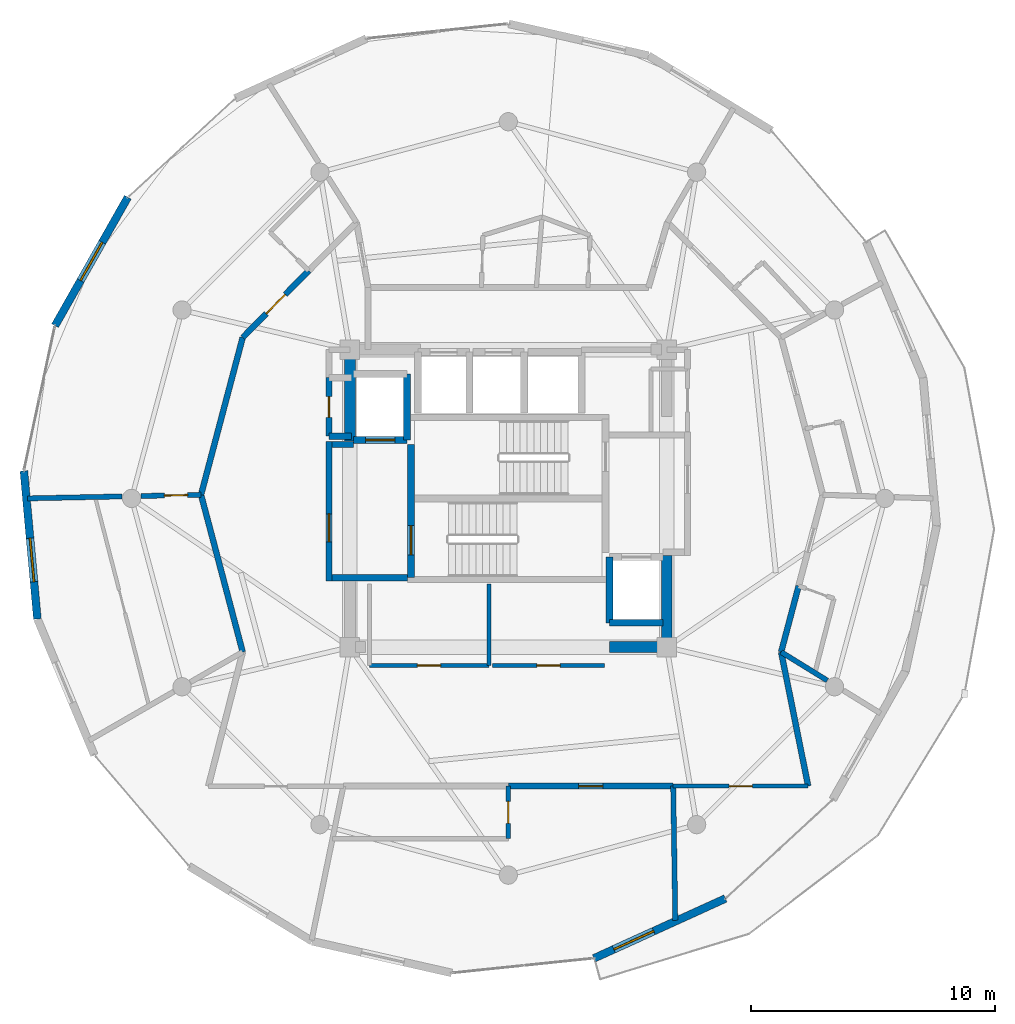
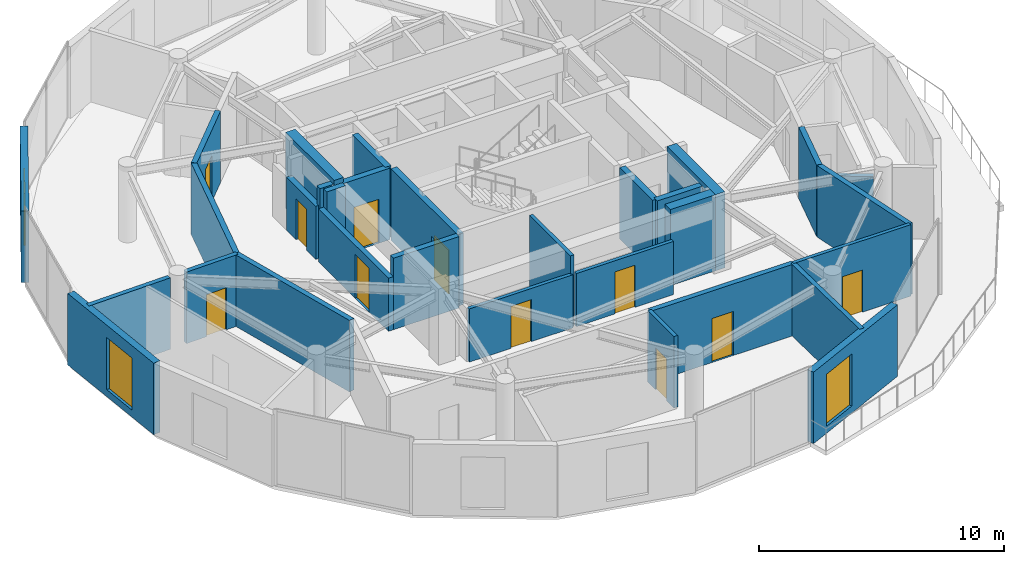
# One storey, part 17 of 22: 31 walls, 11 doors, 3 windows, 14 openings.
"""IFC4 building model written with IfcOpenShell, lengths in metres."""

import ifcopenshell
import ifcopenshell.guid

model = None  # the IFC model being written
_history = None  # IfcOwnerHistory: only IFC2X3 demands one
_inside = {}  # id of a spatial element -> (the spatial element, [elements in it])
_under = {}  # id of a project, library or spatial element -> (it, [spatial elements below it])
_declared = {}  # id of a project -> (the project, [libraries it declares])
_typed = {}  # id of a type object -> (the type object, [elements of that type])
_made_of = {}  # id of a material, layer set ... -> (it, [elements and type objects made of it])


def new_model(schema):
    """Start an empty IFC model of exactly this schema.

    Asked for "IFC4X3", IfcOpenShell would pick the latest addendum, in which some entities
    have other attributes; the version numbers below select the first issue.
    IFC2X3 requires an IfcOwnerHistory on every rooted entity: one is made here for all.
    """
    global model, _history
    if schema == "IFC4X3":
        model = ifcopenshell.file(schema_version=(4, 3, 0, 0))
    else:
        model = ifcopenshell.file(schema=schema)
    _inside.clear()
    _under.clear()
    _declared.clear()
    _typed.clear()
    _made_of.clear()
    _history = None
    if model.schema == "IFC2X3":
        org = make("IfcOrganization", Name="unknown")
        user = make(
            "IfcPersonAndOrganization",
            ThePerson=make("IfcPerson", FamilyName="unknown"),
            TheOrganization=org,
        )
        app = make(
            "IfcApplication",
            ApplicationDeveloper=org,
            Version="unknown",
            ApplicationFullName="unknown",
            ApplicationIdentifier="unknown",
        )
        _history = make(
            "IfcOwnerHistory",
            OwningUser=user,
            OwningApplication=app,
            ChangeAction="ADDED",
            CreationDate=0,
        )
    return model


def make(cls, **values):
    """One entity of the class cls with the attributes given. An attribute that is None is left unset."""
    return model.create_entity(
        cls, **{name: value for name, value in values.items() if value is not None}
    )


def rooted(cls, **values):
    """An entity with a GlobalId (a new one), such as an element, a storey or a relation."""
    return make(cls, GlobalId=ifcopenshell.guid.new(), OwnerHistory=_history, **values)


def si_unit(unit_type, name, prefix=None):
    """IfcSIUnit, for example si_unit("LENGTHUNIT", "METRE", prefix="MILLI")."""
    return make("IfcSIUnit", UnitType=unit_type, Prefix=prefix, Name=name)


def assignment(units):
    """IfcUnitAssignment: the units of a project."""
    return None if units is None else make("IfcUnitAssignment", Units=units)


def point(xyz):
    """IfcCartesianPoint."""
    return None if xyz is None else make("IfcCartesianPoint", Coordinates=xyz)


def direction(xyz):
    """IfcDirection."""
    return None if xyz is None else make("IfcDirection", DirectionRatios=xyz)


def frame(location, z_axis=None, x_axis=None):
    """IfcAxis2Placement3D, a coordinate frame: its origin and axes. An axis left out is left unset."""
    return make(
        "IfcAxis2Placement3D",
        Location=point(location),
        Axis=direction(z_axis),
        RefDirection=direction(x_axis),
    )


def frame_2d(location, x_axis=None):
    """IfcAxis2Placement2D, a coordinate frame in the plane: its origin and x axis."""
    return make(
        "IfcAxis2Placement2D", Location=point(location), RefDirection=direction(x_axis)
    )


def origin():
    """The frame at (0, 0, 0) with its axes left unset."""
    return frame((0.0, 0.0, 0.0))


def place(relative_to, where):
    """IfcLocalPlacement: puts the frame where relative to a parent placement (None: the world)."""
    return make(
        "IfcLocalPlacement", PlacementRelTo=relative_to, RelativePlacement=where
    )


def context(
    kind, dimensions, precision=None, world=None, true_north=None, identifier=None
):
    """IfcGeometricRepresentationContext, for example the 3D "Model" context."""
    return make(
        "IfcGeometricRepresentationContext",
        ContextIdentifier=identifier,
        ContextType=kind,
        CoordinateSpaceDimension=dimensions,
        Precision=precision,
        WorldCoordinateSystem=world,
        TrueNorth=true_north,
    )


def subcontext(parent, identifier, kind, view, scale=None):
    """IfcGeometricRepresentationSubContext, for example "Body" below "Model"."""
    return make(
        "IfcGeometricRepresentationSubContext",
        ContextIdentifier=identifier,
        ContextType=kind,
        ParentContext=parent,
        TargetScale=scale,
        TargetView=view,
    )


def project(units=None, contexts=None):
    """IfcProject with its units and contexts."""
    return rooted(
        "IfcProject",
        Name="project",
        RepresentationContexts=contexts,
        UnitsInContext=assignment(units),
    )


def spatial(cls, under=None, at=None, **own):
    """A site, building, storey or space (cls), placed at a placement, below another one or the project."""
    s = rooted(cls, ObjectPlacement=at, **own)
    if under is not None:
        _under.setdefault(under.id(), (under, []))[1].append(s)
    return s


def profile(cls, at=None, kind="AREA", **sizes):
    """A parametric profile (cls). Its sizes go by their IFC names, for example OverallWidth=200.0."""
    return make(cls, ProfileType=kind, Position=at, **sizes)


def rectangle(**sizes):
    """IfcRectangleProfileDef."""
    return profile("IfcRectangleProfileDef", **sizes)


def extrude(swept, where, along, depth):
    """IfcExtrudedAreaSolid: the profile swept, set in the frame where, extruded along a direction by depth."""
    return make(
        "IfcExtrudedAreaSolid",
        SweptArea=swept,
        Position=where,
        ExtrudedDirection=direction(along),
        Depth=depth,
    )


def shape(context_of_items, identifier, shape_type, items):
    """IfcShapeRepresentation: the items that make up one representation, for example the "Body"."""
    return make(
        "IfcShapeRepresentation",
        ContextOfItems=context_of_items,
        RepresentationIdentifier=identifier,
        RepresentationType=shape_type,
        Items=items,
    )


def material(Name=None, Category=None):
    """IfcMaterial."""
    return make("IfcMaterial", Name=Name, Category=Category)


def layer(
    of_material, thickness, ventilated=None, Name=None, Category=None, Priority=None
):
    """IfcMaterialLayer: one layer of a wall or slab, of a material (None: an air gap)."""
    return make(
        "IfcMaterialLayer",
        Material=of_material,
        LayerThickness=thickness,
        IsVentilated=ventilated,
        Name=Name,
        Category=Category,
        Priority=Priority,
    )


def layer_set(layers, Name=None):
    """IfcMaterialLayerSet."""
    return make("IfcMaterialLayerSet", MaterialLayers=layers, LayerSetName=Name)


def made_of(thing, what):
    """Note that an element or type object is made of a material, layer set ...; save() writes the relation."""
    if what is not None:
        _made_of.setdefault(what.id(), (what, []))[1].append(thing)
    return thing


def type_object(cls, material=None, **own):
    """A type object (cls), such as IfcWallType, which elements share."""
    return made_of(rooted(cls, **own), material)


def element(
    cls,
    number,
    at=None,
    inside=None,
    cuts=None,
    type_object=None,
    material=None,
    context=None,
    identifier="Body",
    shape_type=None,
    held_by="IfcProductDefinitionShape",
    body=None,
    shapes=None,
    **own,
):
    """One element of the class cls, such as IfcWall. Its Tag is "e" and its number.

    at: its placement. inside: the storey or other place that contains it. cuts: it is an
    opening in that element (IfcRelVoidsElement). A single representation is given by context,
    identifier, shape_type and body (its items); several are given by shapes. held_by: the class
    of the entity that holds the representations. save() writes the other relations.
    """
    e = rooted(cls, Tag="e%d" % number, ObjectPlacement=at, **own)
    if body is not None:
        shapes = [shape(context, identifier, shape_type, body)]
    if shapes is not None:
        e.Representation = make(held_by, Representations=shapes)
    if inside is not None:
        _inside.setdefault(inside.id(), (inside, []))[1].append(e)
    if cuts is not None:
        rooted(
            "IfcRelVoidsElement", RelatingBuildingElement=cuts, RelatedOpeningElement=e
        )
    if type_object is not None:
        _typed.setdefault(type_object.id(), (type_object, []))[1].append(e)
    return made_of(e, material)


def fill(opening, filler):
    """IfcRelFillsElement: the door or window that sits in an opening."""
    return rooted(
        "IfcRelFillsElement",
        RelatingOpeningElement=opening,
        RelatedBuildingElement=filler,
    )


def aggregate(whole, parts):
    """IfcRelAggregates: a whole, such as a stair, and the parts it consists of."""
    return rooted("IfcRelAggregates", RelatingObject=whole, RelatedObjects=parts)


def save(model, path):
    """Write the relations noted so far, then the file.

    IfcRelAggregates (storeys below a building ...), IfcRelContainedInSpatialStructure (elements
    in a storey), IfcRelDefinesByType, IfcRelAssociatesMaterial and IfcRelDeclares: one each for
    every whole, place, type object, material and project.
    """
    for whole, parts in _under.values():
        aggregate(whole, parts)
    for where, things in _inside.values():
        rooted(
            "IfcRelContainedInSpatialStructure",
            RelatedElements=things,
            RelatingStructure=where,
        )
    for kind, things in _typed.values():
        rooted("IfcRelDefinesByType", RelatedObjects=things, RelatingType=kind)
    for what, things in _made_of.values():
        rooted("IfcRelAssociatesMaterial", RelatedObjects=things, RelatingMaterial=what)
    for by, libraries in _declared.values():
        rooted("IfcRelDeclares", RelatingContext=by, RelatedDefinitions=libraries)
    model.write(path)


model = new_model("IFC4")

# Units and contexts
model_context = context("Model", 3, precision=1e-05, world=origin(), true_north=direction((0.0, 1.0)))
body_context = subcontext(model_context, "Body", "Model", "MODEL_VIEW")
ifc_project = project(units=[si_unit("LENGTHUNIT", "METRE"), si_unit("AREAUNIT", "SQUARE_METRE"), si_unit("VOLUMEUNIT", "CUBIC_METRE"), si_unit("PLANEANGLEUNIT", "RADIAN"), si_unit("MASSUNIT", "GRAM", prefix="KILO")], contexts=[model_context])

# Site, building, storey
site_placement = place(None, origin())
site = spatial("IfcSite", under=ifc_project, at=site_placement, CompositionType="ELEMENT")
building_placement = place(site_placement, origin())
building = spatial("IfcBuilding", under=site, at=building_placement, Name="Solvirekh Grand Hotel", CompositionType="ELEMENT")
storey_placement = place(building_placement, frame((0.0, 0.0, 289.60009765625)))
storey = spatial("IfcBuildingStorey", under=building, at=storey_placement, Name="L75", CompositionType="ELEMENT", Elevation=289.60009765625)

# Wall, opening, door
ifc_material_1 = material(Name="Concrete C40/50", Category="concrete")
ifc_layer_1 = layer(ifc_material_1, 0.280029296875)
ifc_layer_set_1 = layer_set([ifc_layer_1], Name="Concrete C40/50")
wall_type_1 = type_object("IfcWallType", Name="CoreShaftWall_RC280", PredefinedType="SOLIDWALL", material=ifc_layer_set_1)
wall_1_placement = place(storey_placement, frame((-6.35009765625, 2.39990234375, 0.0), z_axis=(0.0, 0.0, 1.0), x_axis=(1.0, 0.0, 0.0)))
wall_1 = element("IfcWall", 1, at=wall_1_placement, inside=storey, type_object=wall_type_1, Name="L75 FL-1 hoistway S wall", PredefinedType="SOLIDWALL", context=body_context, shape_type="SweptSolid", body=[
    extrude(rectangle(XDim=2.2001953125, YDim=0.280029296875, at=frame_2d((1.10009765625, 0.0))), origin(), (0.0, 0.0, 1.0), 3.56982421875),
])
opening_1_placement = place(wall_1_placement, frame((0.5, 0.0, 0.0)))
opening_1 = element("IfcOpeningElement", 2, at=opening_1_placement, cuts=wall_1, Name="Opening LD02", PredefinedType="OPENING", context=body_context, shape_type="SweptSolid", body=[
    extrude(rectangle(XDim=1.199951171875, YDim=2.199951171875, at=frame_2d((0.60009765625, 1.10009765625))), frame((0.0, 0.14990234375, 0.0), z_axis=(0.0, -1.0, 0.0), x_axis=(1.0, 0.0, 0.0)), (0.0, 0.0, 1.0), 0.300048828125),
])
ifc_material_2 = material(Name="Fire-Rated Steel Door Assembly", Category="steel")
door_type_1 = type_object("IfcDoorType", Name="Door_LiftFF_1200X2200", OperationType="SLIDING_TO_LEFT", PredefinedType="DOOR", material=ifc_material_2)
door_1_placement = place(opening_1_placement, origin())
door_1 = element("IfcDoor", 3, at=door_1_placement, inside=storey, type_object=door_type_1, Name="L75 FL-1 sliding lift landing door", OperationType="SLIDING_TO_LEFT", OverallHeight=2.199951171875, OverallWidth=1.199951171875, PredefinedType="DOOR", context=body_context, shape_type="SweptSolid", body=[
    extrude(rectangle(XDim=1.199951171875, YDim=2.199951171875, at=frame_2d((0.60009765625, 1.10009765625))), frame((0.0, 0.02490234375, 0.0), z_axis=(0.0, -1.0, 0.0), x_axis=(1.0, 0.0, 0.0)), (0.0, 0.0, 1.0), 0.050048828125),
])
fill(opening_1, door_1)

# Walls
wall_2_placement = place(storey_placement, frame((-4.14990234375, 2.39990234375, 0.0), z_axis=(0.0, 0.0, 1.0), x_axis=(0.0, 1.0, 0.0)))
element("IfcWall", 4, at=wall_2_placement, inside=storey, type_object=wall_type_1, Name="L75 FL-1 hoistway E wall", PredefinedType="SOLIDWALL", context=body_context, shape_type="SweptSolid", body=[
    extrude(rectangle(XDim=2.7001953125, YDim=0.280029296875, at=frame_2d((1.35009765625, 0.0))), origin(), (0.0, 0.0, 1.0), 3.56982421875),
])
wall_3_placement = place(storey_placement, frame((4.14990234375, -5.10009765625, 0.0), z_axis=(0.0, 0.0, 1.0), x_axis=(1.0, 0.0, 0.0)))
element("IfcWall", 5, at=wall_3_placement, inside=storey, type_object=wall_type_1, Name="L75 FL-2 hoistway S wall", PredefinedType="SOLIDWALL", context=body_context, shape_type="SweptSolid", body=[
    extrude(rectangle(XDim=2.2001953125, YDim=0.280029296875, at=frame_2d((1.10009765625, 0.0))), origin(), (0.0, 0.0, 1.0), 3.56982421875),
])
wall_4_placement = place(storey_placement, frame((4.14990234375, -2.39990234375, 0.0), z_axis=(0.0, 0.0, 1.0), x_axis=(0.0, -1.0, 0.0)))
element("IfcWall", 6, at=wall_4_placement, inside=storey, type_object=wall_type_1, Name="L75 FL-2 hoistway W wall", PredefinedType="SOLIDWALL", context=body_context, shape_type="SweptSolid", body=[
    extrude(rectangle(XDim=2.7001953125, YDim=0.280029296875, at=frame_2d((1.35009765625, 0.0))), origin(), (0.0, 0.0, 1.0), 3.56982421875),
])

# Wall, opening, door
wall_5_placement = place(storey_placement, frame((-3.989990234375, -3.25, 0.0), z_axis=(0.0, 0.0, 1.0), x_axis=(0.0, 1.0, 0.0)))
wall_5 = element("IfcWall", 7, at=wall_5_placement, inside=storey, type_object=wall_type_1, Name="L75 west stair landing enclosure wall", PredefinedType="SOLIDWALL", context=body_context, shape_type="SweptSolid", body=[
    extrude(rectangle(XDim=5.4599609375, YDim=0.280029296875, at=frame_2d((2.72998046875, 0.0))), origin(), (0.0, 0.0, 1.0), 3.56982421875),
])
opening_2_placement = place(wall_5_placement, frame((0.93701171875, 0.0, 0.0)))
opening_2 = element("IfcOpeningElement", 8, at=opening_2_placement, cuts=wall_5, Name="Opening D05", PredefinedType="OPENING", context=body_context, shape_type="SweptSolid", body=[
    extrude(rectangle(XDim=1.199951171875, YDim=2.199951171875, at=frame_2d((0.60009765625, 1.10009765625))), frame((0.0, 0.14990234375, 0.0), z_axis=(0.0, -1.0, 0.0), x_axis=(1.0, 0.0, 0.0)), (0.0, 0.0, 1.0), 0.300048828125),
])
door_type_2 = type_object("IfcDoorType", Name="Door_StairCore_1200X2200", OperationType="NOTDEFINED", PredefinedType="DOOR", material=ifc_material_2)
door_2_placement = place(opening_2_placement, origin())
door_2 = element("IfcDoor", 9, at=door_2_placement, inside=storey, type_object=door_type_2, Name="L75 exit stair ST-1 fire door", OperationType="SINGLE_SWING_LEFT", OverallHeight=2.199951171875, OverallWidth=1.199951171875, PredefinedType="DOOR", context=body_context, shape_type="SweptSolid", body=[
    extrude(rectangle(XDim=1.199951171875, YDim=2.199951171875, at=frame_2d((0.60009765625, 1.10009765625))), frame((0.0, 0.02490234375, 0.0), z_axis=(0.0, -1.0, 0.0), x_axis=(1.0, 0.0, 0.0)), (0.0, 0.0, 1.0), 0.050048828125),
])
fill(opening_2, door_2)

# Walls
ifc_material_3 = material(Name="Concrete C50/60", Category="concrete")
ifc_layer_2 = layer(ifc_material_3, 0.449951171875)
ifc_layer_set_2 = layer_set([ifc_layer_2], Name="Concrete C50/60")
wall_type_2 = type_object("IfcWallType", Name="CoreWall_RC450", PredefinedType="SHEAR", material=ifc_layer_set_2)
wall_6_placement = place(storey_placement, frame((4.14990234375, -6.10009765625, 0.0), z_axis=(0.0, 0.0, 1.0), x_axis=(1.0, 0.0, 0.0)))
element("IfcWall", 10, at=wall_6_placement, inside=storey, type_object=wall_type_2, Name="L75 core corner shear wall SE-S", PredefinedType="SHEAR", context=body_context, shape_type="SweptSolid", body=[
    extrude(rectangle(XDim=2.125, YDim=0.449951171875, at=frame_2d((1.0625, 0.0))), origin(), (0.0, 0.0, 1.0), 3.7998046875),
])
for number, where, z_axis, x_axis, name in (
    (11, (-6.5, 2.35009765625, 0.0), (0.0, 0.0, 1.0), (0.0, 1.0, 0.0), "L75 core corner shear wall WN-W"),
    (12, (6.5, -6.324951171875, 0.0), (0.0, 0.0, 1.0), (0.0, 1.0, 0.0), "L75 core corner shear wall ES-E"),
):
    element("IfcWall", number, at=place(storey_placement, frame(where, z_axis=z_axis, x_axis=x_axis)), inside=storey, type_object=wall_type_2, Name=name, PredefinedType="SHEAR", context=body_context, shape_type="SweptSolid", body=[
        extrude(rectangle(XDim=3.974853515625, YDim=0.449951171875, at=frame_2d((1.9873046875, 0.0))), origin(), (0.0, 0.0, 1.0), 3.7998046875),
    ])

# Wall, opening, window
ifc_material_4 = material(Name="Precast concrete C45/55", Category="concrete")
ifc_layer_3 = layer(ifc_material_4, 0.320068359375)
ifc_layer_set_3 = layer_set([ifc_layer_3], Name="Precast concrete C45/55")
wall_type_3 = type_object("IfcWallType", Name="ExtLobbyWall_RC320", PredefinedType="SOLIDWALL", material=ifc_layer_set_3)
wall_7_placement = place(storey_placement, frame((8.905029296875, -16.408935546875, 0.0), z_axis=(0.0, 0.0, 1.0), x_axis=(-0.910118979779, -0.414347007526, 0.0)))
wall_7 = element("IfcWall", 13, at=wall_7_placement, inside=storey, type_object=wall_type_3, Name="L75 exterior structural wall chord 2", PredefinedType="SOLIDWALL", context=body_context, shape_type="SweptSolid", body=[
    extrude(rectangle(XDim=5.915771484375, YDim=0.320068359375, at=frame_2d((2.9580078125, 0.0))), origin(), (0.0, 0.0, 1.0), 3.56982421875),
])
opening_3_placement = place(wall_7_placement, frame((3.22802734375, 0.0, 0.35009765625)))
opening_3 = element("IfcOpeningElement", 14, at=opening_3_placement, cuts=wall_7, Name="Opening W02", PredefinedType="OPENING", context=body_context, shape_type="SweptSolid", body=[
    extrude(rectangle(XDim=1.800048828125, YDim=2.60009765625, at=frame_2d((0.89990234375, 1.300048828125))), frame((0.0, 0.169921875, 0.0), z_axis=(0.0, -1.0, 0.0), x_axis=(1.0, 0.0, 0.0)), (0.0, 0.0, 1.0), 0.340087890625),
])
ifc_material_5 = material(Name="Low-E Tinted Bronze Laminated Glass", Category="aluminium")
window_type = type_object("IfcWindowType", Name="Win_LobbyExt_1800X2600", PartitioningType="SINGLE_PANEL", PredefinedType="WINDOW", material=ifc_material_5)
window_1_placement = place(opening_3_placement, origin())
window_1 = element("IfcWindow", 15, at=window_1_placement, inside=storey, type_object=window_type, Name="L75 panoramic bronze-framed window 2", OverallHeight=2.60009765625, OverallWidth=1.800048828125, PartitioningType="SINGLE_PANEL", PredefinedType="WINDOW", context=body_context, shape_type="SweptSolid", body=[
    extrude(rectangle(XDim=1.800048828125, YDim=2.60009765625, at=frame_2d((0.89990234375, 1.300048828125))), frame((0.0, 0.030029296875, 0.0), z_axis=(0.0, -1.0, 0.0), x_axis=(1.0, 0.0, 0.0)), (0.0, 0.0, 1.0), 0.06005859375),
])
fill(opening_3, window_1)

wall_8_placement = place(storey_placement, frame((-18.589111328125, 7.0849609375, 0.0), z_axis=(0.0, 0.0, 1.0), x_axis=(0.493134681356, 0.869952979214, 0.0)))
wall_8 = element("IfcWall", 16, at=wall_8_placement, inside=storey, type_object=wall_type_3, Name="L75 exterior structural wall chord 14", PredefinedType="SOLIDWALL", context=body_context, shape_type="SweptSolid", body=[
    extrude(rectangle(XDim=6.05322265625, YDim=0.320068359375, at=frame_2d((3.026611328125, 0.0))), origin(), (0.0, 0.0, 1.0), 3.56982421875),
])
opening_4_placement = place(wall_8_placement, frame((2.126953125, 0.0, 0.35009765625)))
opening_4 = element("IfcOpeningElement", 17, at=opening_4_placement, cuts=wall_8, Name="Opening W02", PredefinedType="OPENING", context=body_context, shape_type="SweptSolid", body=[
    extrude(rectangle(XDim=1.800048828125, YDim=2.60009765625, at=frame_2d((0.89990234375, 1.300048828125))), frame((0.0, 0.169921875, 0.0), z_axis=(0.0, -1.0, 0.0), x_axis=(1.0, 0.0, 0.0)), (0.0, 0.0, 1.0), 0.340087890625),
])
window_2_placement = place(opening_4_placement, origin())
window_2 = element("IfcWindow", 18, at=window_2_placement, inside=storey, type_object=window_type, Name="L75 panoramic bronze-framed window 14", OverallHeight=2.60009765625, OverallWidth=1.800048828125, PartitioningType="SINGLE_PANEL", PredefinedType="WINDOW", context=body_context, shape_type="SweptSolid", body=[
    extrude(rectangle(XDim=1.800048828125, YDim=2.60009765625, at=frame_2d((0.89990234375, 1.300048828125))), frame((0.0, 0.030029296875, 0.0), z_axis=(0.0, -1.0, 0.0), x_axis=(1.0, 0.0, 0.0)), (0.0, 0.0, 1.0), 0.06005859375),
])
fill(opening_4, window_2)

wall_9_placement = place(storey_placement, frame((-19.31201171875, -4.945068359375, 0.0), z_axis=(0.0, 0.0, 1.0), x_axis=(-0.090882437135, 0.99586162825, 0.0)))
wall_9 = element("IfcWall", 19, at=wall_9_placement, inside=storey, type_object=wall_type_3, Name="L75 exterior structural wall chord 16", PredefinedType="SOLIDWALL", context=body_context, shape_type="SweptSolid", body=[
    extrude(rectangle(XDim=6.09521484375, YDim=0.320068359375, at=frame_2d((3.047607421875, 0.0))), origin(), (0.0, 0.0, 1.0), 3.56982421875),
])
opening_5_placement = place(wall_9_placement, frame((1.531005859375, 0.0, 0.35009765625)))
opening_5 = element("IfcOpeningElement", 20, at=opening_5_placement, cuts=wall_9, Name="Opening W02", PredefinedType="OPENING", context=body_context, shape_type="SweptSolid", body=[
    extrude(rectangle(XDim=1.800048828125, YDim=2.60009765625, at=frame_2d((0.89990234375, 1.300048828125))), frame((0.0, 0.169921875, 0.0), z_axis=(0.0, -1.0, 0.0), x_axis=(1.0, 0.0, 0.0)), (0.0, 0.0, 1.0), 0.340087890625),
])
window_3_placement = place(opening_5_placement, origin())
window_3 = element("IfcWindow", 21, at=window_3_placement, inside=storey, type_object=window_type, Name="L75 panoramic bronze-framed window 16", OverallHeight=2.60009765625, OverallWidth=1.800048828125, PartitioningType="SINGLE_PANEL", PredefinedType="WINDOW", context=body_context, shape_type="SweptSolid", body=[
    extrude(rectangle(XDim=1.800048828125, YDim=2.60009765625, at=frame_2d((0.89990234375, 1.300048828125))), frame((0.0, 0.030029296875, 0.0), z_axis=(0.0, -1.0, 0.0), x_axis=(1.0, 0.0, 0.0)), (0.0, 0.0, 1.0), 0.06005859375),
])
fill(opening_5, window_3)

# Wall, opening, door
ifc_material_6 = material(Name="Acoustic Gypsum Partition Assembly")
ifc_layer_4 = layer(ifc_material_6, 0.1650390625)
ifc_layer_set_4 = layer_set([ifc_layer_4], Name="Acoustic Gypsum Partition Assembly")
wall_type_4 = type_object("IfcWallType", Name="Part_BOH_165", PredefinedType="PARTITIONING", material=ifc_layer_set_4)
wall_10_placement = place(storey_placement, frame((-5.699951171875, -6.85009765625, 0.0), z_axis=(0.0, 0.0, 1.0), x_axis=(1.0, 0.0, 0.0)))
wall_10 = element("IfcWall", 22, at=wall_10_placement, inside=storey, type_object=wall_type_4, Name="L75 High-Zone Housekeeping Linen Room wall 1", PredefinedType="PARTITIONING", context=body_context, shape_type="SweptSolid", body=[
    extrude(rectangle(XDim=4.89990234375, YDim=0.1650390625, at=frame_2d((2.449951171875, 0.0))), origin(), (0.0, 0.0, 1.0), 2.65478515625),
])
opening_6_placement = place(wall_10_placement, frame((1.97509765625, 0.0, 0.0)))
opening_6 = element("IfcOpeningElement", 23, at=opening_6_placement, cuts=wall_10, Name="Opening D10", PredefinedType="OPENING", context=body_context, shape_type="SweptSolid", body=[
    extrude(rectangle(XDim=0.949951171875, YDim=2.10009765625, at=frame_2d((0.47509765625, 1.050048828125))), frame((0.0, 0.092529296875, 0.0), z_axis=(0.0, -1.0, 0.0), x_axis=(1.0, 0.0, 0.0)), (0.0, 0.0, 1.0), 0.18505859375),
])
ifc_material_7 = material(Name="Anodized Bronze Aluminium 6063-T6", Category="aluminium")
door_type_3 = type_object("IfcDoorType", Name="Door_RoomInt_950X2100", OperationType="NOTDEFINED", PredefinedType="DOOR", material=ifc_material_7)
door_3_placement = place(opening_6_placement, origin())
door_3 = element("IfcDoor", 24, at=door_3_placement, inside=storey, type_object=door_type_3, Name="L75 High-Zone Housekeeping Linen Room door", OperationType="SINGLE_SWING_LEFT", OverallHeight=2.10009765625, OverallWidth=0.949951171875, PredefinedType="DOOR", context=body_context, shape_type="SweptSolid", body=[
    extrude(rectangle(XDim=0.949951171875, YDim=2.10009765625, at=frame_2d((0.47509765625, 1.050048828125))), frame((0.0, 0.02490234375, 0.0), z_axis=(0.0, -1.0, 0.0), x_axis=(1.0, 0.0, 0.0)), (0.0, 0.0, 1.0), 0.050048828125),
])
fill(opening_6, door_3)

# Wall
wall_11_placement = place(storey_placement, frame((-0.800048828125, -6.85009765625, 0.0), z_axis=(0.0, 0.0, 1.0), x_axis=(0.0, 1.0, 0.0)))
element("IfcWall", 25, at=wall_11_placement, inside=storey, type_object=wall_type_4, Name="L75 High-Zone Housekeeping Linen Room wall 2", PredefinedType="PARTITIONING", context=body_context, shape_type="SweptSolid", body=[
    extrude(rectangle(XDim=3.35009765625, YDim=0.1650390625, at=frame_2d((1.675048828125, 0.0))), origin(), (0.0, 0.0, 1.0), 3.56982421875),
])

# Wall, opening, door
wall_12_placement = place(storey_placement, frame((-0.64990234375, -6.85009765625, 0.0), z_axis=(0.0, 0.0, 1.0), x_axis=(1.0, 0.0, 0.0)))
wall_12 = element("IfcWall", 26, at=wall_12_placement, inside=storey, type_object=wall_type_4, Name="L75 Butler Valet Steward Room wall 1", PredefinedType="PARTITIONING", context=body_context, shape_type="SweptSolid", body=[
    extrude(rectangle(XDim=4.599853515625, YDim=0.1650390625, at=frame_2d((2.2998046875, 0.0))), origin(), (0.0, 0.0, 1.0), 2.65478515625),
])
opening_7_placement = place(wall_12_placement, frame((1.824951171875, 0.0, 0.0)))
opening_7 = element("IfcOpeningElement", 27, at=opening_7_placement, cuts=wall_12, Name="Opening D10", PredefinedType="OPENING", context=body_context, shape_type="SweptSolid", body=[
    extrude(rectangle(XDim=0.949951171875, YDim=2.10009765625, at=frame_2d((0.47509765625, 1.050048828125))), frame((0.0, 0.092529296875, 0.0), z_axis=(0.0, -1.0, 0.0), x_axis=(1.0, 0.0, 0.0)), (0.0, 0.0, 1.0), 0.18505859375),
])
door_4_placement = place(opening_7_placement, origin())
door_4 = element("IfcDoor", 28, at=door_4_placement, inside=storey, type_object=door_type_3, Name="L75 Butler Valet Steward Room door", OperationType="SINGLE_SWING_RIGHT", OverallHeight=2.10009765625, OverallWidth=0.949951171875, PredefinedType="DOOR", context=body_context, shape_type="SweptSolid", body=[
    extrude(rectangle(XDim=0.949951171875, YDim=2.10009765625, at=frame_2d((0.47509765625, 1.050048828125))), frame((0.0, 0.02490234375, 0.0), z_axis=(0.0, -1.0, 0.0), x_axis=(1.0, 0.0, 0.0)), (0.0, 0.0, 1.0), 0.050048828125),
])
fill(opening_7, door_4)

wall_13_placement = place(storey_placement, frame((6.764892578125, -11.800048828125, 0.0), z_axis=(0.0, 0.0, 1.0), x_axis=(1.0, 0.0, 0.0)))
wall_13 = element("IfcWall", 29, at=wall_13_placement, inside=storey, type_object=wall_type_4, Name="L75 L75 Butler Valet & Linen Steward Room entrance wall", PredefinedType="PARTITIONING", context=body_context, shape_type="SweptSolid", body=[
    extrude(rectangle(XDim=5.53515625, YDim=0.1650390625, at=frame_2d((2.767578125, 0.0))), origin(), (0.0, 0.0, 1.0), 3.56982421875),
])
opening_8_placement = place(wall_13_placement, frame((2.29296875, 0.0, 0.0)))
opening_8 = element("IfcOpeningElement", 30, at=opening_8_placement, cuts=wall_13, Name="Opening D10", PredefinedType="OPENING", context=body_context, shape_type="SweptSolid", body=[
    extrude(rectangle(XDim=0.949951171875, YDim=2.10009765625, at=frame_2d((0.47509765625, 1.050048828125))), frame((0.0, 0.092529296875, 0.0), z_axis=(0.0, -1.0, 0.0), x_axis=(1.0, 0.0, 0.0)), (0.0, 0.0, 1.0), 0.18505859375),
])
door_5_placement = place(opening_8_placement, origin())
door_5 = element("IfcDoor", 31, at=door_5_placement, inside=storey, type_object=door_type_3, Name="L75 L75 Butler Valet & Linen Steward Room entrance door", OperationType="SINGLE_SWING_RIGHT", OverallHeight=2.10009765625, OverallWidth=0.949951171875, PredefinedType="DOOR", context=body_context, shape_type="SweptSolid", body=[
    extrude(rectangle(XDim=0.949951171875, YDim=2.10009765625, at=frame_2d((0.47509765625, 1.050048828125))), frame((0.0, 0.02490234375, 0.0), z_axis=(0.0, -1.0, 0.0), x_axis=(1.0, 0.0, 0.0)), (0.0, 0.0, 1.0), 0.050048828125),
])
fill(opening_8, door_5)

ifc_layer_5 = layer(ifc_material_6, 0.239990234375)
ifc_layer_set_5 = layer_set([ifc_layer_5], Name="Acoustic Gypsum Partition Assembly")
wall_type_5 = type_object("IfcWallType", Name="Part_Corridor_240", PredefinedType="PARTITIONING", material=ifc_layer_set_5)
wall_14_placement = place(storey_placement, frame((-7.35009765625, -3.3798828125, 0.0), z_axis=(0.0, 0.0, 1.0), x_axis=(0.0, 1.0, 0.0)))
wall_14 = element("IfcWall", 32, at=wall_14_placement, inside=storey, type_object=wall_type_5, Name="L75 west firefighting lobby smoke screen wall", PredefinedType="PARTITIONING", context=body_context, shape_type="SweptSolid", body=[
    extrude(rectangle(XDim=5.719970703125, YDim=0.239990234375, at=frame_2d((2.85986328125, 0.0))), origin(), (0.0, 0.0, 1.0), 2.65478515625),
])
opening_9_placement = place(wall_14_placement, frame((1.59912109375, 0.0, 0.0)))
opening_9 = element("IfcOpeningElement", 33, at=opening_9_placement, cuts=wall_14, Name="Opening D06", PredefinedType="OPENING", context=body_context, shape_type="SweptSolid", body=[
    extrude(rectangle(XDim=1.14990234375, YDim=2.199951171875, at=frame_2d((0.574951171875, 1.10009765625))), frame((0.0, 0.1298828125, 0.0), z_axis=(0.0, -1.0, 0.0), x_axis=(1.0, 0.0, 0.0)), (0.0, 0.0, 1.0), 0.260009765625),
])
door_type_4 = type_object("IfcDoorType", Name="Door_FFLobby_1150X2200", OperationType="NOTDEFINED", PredefinedType="DOOR", material=ifc_material_2)
door_6_placement = place(opening_9_placement, origin())
door_6 = element("IfcDoor", 34, at=door_6_placement, inside=storey, type_object=door_type_4, Name="L75 west firefighting lobby smoke door", OperationType="SINGLE_SWING_LEFT", OverallHeight=2.199951171875, OverallWidth=1.14990234375, PredefinedType="DOOR", context=body_context, shape_type="SweptSolid", body=[
    extrude(rectangle(XDim=1.14990234375, YDim=2.199951171875, at=frame_2d((0.574951171875, 1.10009765625))), frame((0.0, 0.02490234375, 0.0), z_axis=(0.0, -1.0, 0.0), x_axis=(1.0, 0.0, 0.0)), (0.0, 0.0, 1.0), 0.050048828125),
])
fill(opening_9, door_6)

# Wall
wall_15_placement = place(storey_placement, frame((-10.89208984375, 6.60009765625, 0.0), z_axis=(0.0, 0.0, 1.0), x_axis=(-0.255977036578, -0.966682862548, 0.0)))
element("IfcWall", 35, at=wall_15_placement, inside=storey, type_object=wall_type_5, Name="L75 Diplomatic Suite 7703 Living Room corridor wall 1", PredefinedType="PARTITIONING", context=body_context, shape_type="SweptSolid", body=[
    extrude(rectangle(XDim=6.672607421875, YDim=0.239990234375, at=frame_2d((3.33642578125, 0.0))), origin(), (0.0, 0.0, 1.0), 3.56982421875),
])

# Wall, opening, door
wall_16_placement = place(storey_placement, frame((-8.18505859375, 9.339111328125, 0.0), z_axis=(0.0, 0.0, 1.0), x_axis=(-0.702942107486, -0.711247069254, 0.0)))
wall_16 = element("IfcWall", 36, at=wall_16_placement, inside=storey, type_object=wall_type_5, Name="L75 Diplomatic Suite 7703 Living Room entrance wall", PredefinedType="PARTITIONING", context=body_context, shape_type="SweptSolid", body=[
    extrude(rectangle(XDim=3.85107421875, YDim=0.239990234375, at=frame_2d((1.925537109375, 0.0))), origin(), (0.0, 0.0, 1.0), 3.56982421875),
])
opening_10_placement = place(wall_16_placement, frame((1.375, 0.0, 0.0)))
opening_10 = element("IfcOpeningElement", 37, at=opening_10_placement, cuts=wall_16, Name="Opening D08", PredefinedType="OPENING", context=body_context, shape_type="SweptSolid", body=[
    extrude(rectangle(XDim=1.10009765625, YDim=2.300048828125, at=frame_2d((0.550048828125, 1.14990234375))), frame((0.0, 0.1298828125, 0.0), z_axis=(0.0, -1.0, 0.0), x_axis=(1.0, 0.0, 0.0)), (0.0, 0.0, 1.0), 0.260009765625),
])
door_type_5 = type_object("IfcDoorType", Name="Door_SuiteEntry_1100X2300", OperationType="NOTDEFINED", PredefinedType="DOOR", material=ifc_material_2)
door_7_placement = place(opening_10_placement, origin())
door_7 = element("IfcDoor", 38, at=door_7_placement, inside=storey, type_object=door_type_5, Name="L75 Diplomatic Suite 7703 Living Room entrance door", OperationType="SINGLE_SWING_RIGHT", OverallHeight=2.300048828125, OverallWidth=1.10009765625, PredefinedType="DOOR", context=body_context, shape_type="SweptSolid", body=[
    extrude(rectangle(XDim=1.10009765625, YDim=2.300048828125, at=frame_2d((0.550048828125, 1.14990234375))), frame((0.0, 0.02490234375, 0.0), z_axis=(0.0, -1.0, 0.0), x_axis=(1.0, 0.0, 0.0)), (0.0, 0.0, 1.0), 0.050048828125),
])
fill(opening_10, door_7)

# Walls
wall_17_placement = place(storey_placement, frame((-12.60009765625, 0.14990234375, 0.0), z_axis=(0.0, 0.0, 1.0), x_axis=(0.255986090798, -0.966680464951, 0.0)))
element("IfcWall", 39, at=wall_17_placement, inside=storey, type_object=wall_type_5, Name="L75 Diplomatic Suite 7703 Suite Foyer corridor enclosure wall", PredefinedType="PARTITIONING", context=body_context, shape_type="SweptSolid", body=[
    extrude(rectangle(XDim=6.67236328125, YDim=0.239990234375, at=frame_2d((3.336181640625, 0.0))), origin(), (0.0, 0.0, 1.0), 3.56982421875),
])
wall_18_placement = place(storey_placement, frame((11.19189453125, -6.300048828125, 0.0), z_axis=(0.0, 0.0, 1.0), x_axis=(0.255878192504, 0.966709030992, 0.0)))
element("IfcWall", 40, at=wall_18_placement, inside=storey, type_object=wall_type_5, Name="L75 En-suite Bathroom 7704 corridor backing wall", PredefinedType="PARTITIONING", context=body_context, shape_type="SweptSolid", body=[
    extrude(rectangle(XDim=2.80224609375, YDim=0.239990234375, at=frame_2d((1.401123046875, 0.0))), origin(), (0.0, 0.0, 1.0), 3.56982421875),
])

# Wall, opening, door
wall_19_placement = place(storey_placement, frame((0.0, -11.800048828125, 0.0), z_axis=(0.0, 0.0, 1.0), x_axis=(1.0, 0.0, 0.0)))
wall_19 = element("IfcWall", 41, at=wall_19_placement, inside=storey, type_object=wall_type_5, Name="L75 Deluxe Guestroom 7707 entrance wall", PredefinedType="PARTITIONING", context=body_context, shape_type="SweptSolid", body=[
    extrude(rectangle(XDim=6.764892578125, YDim=0.239990234375, at=frame_2d((3.38232421875, 0.0))), origin(), (0.0, 0.0, 1.0), 3.56982421875),
])
opening_11_placement = place(wall_19_placement, frame((2.882080078125, 0.0, 0.0)))
opening_11 = element("IfcOpeningElement", 42, at=opening_11_placement, cuts=wall_19, Name="Opening D07", PredefinedType="OPENING", context=body_context, shape_type="SweptSolid", body=[
    extrude(rectangle(XDim=1.0, YDim=2.199951171875, at=frame_2d((0.5, 1.10009765625))), frame((0.0, 0.1298828125, 0.0), z_axis=(0.0, -1.0, 0.0), x_axis=(1.0, 0.0, 0.0)), (0.0, 0.0, 1.0), 0.260009765625),
])
door_type_6 = type_object("IfcDoorType", Name="Door_GuestEntry_1000X2200", OperationType="NOTDEFINED", PredefinedType="DOOR", material=ifc_material_2)
door_8_placement = place(opening_11_placement, origin())
door_8 = element("IfcDoor", 43, at=door_8_placement, inside=storey, type_object=door_type_6, Name="L75 Deluxe Guestroom 7707 entrance door", OperationType="SINGLE_SWING_LEFT", OverallHeight=2.199951171875, OverallWidth=1.0, PredefinedType="DOOR", context=body_context, shape_type="SweptSolid", body=[
    extrude(rectangle(XDim=1.0, YDim=2.199951171875, at=frame_2d((0.5, 1.10009765625))), frame((0.0, 0.02490234375, 0.0), z_axis=(0.0, -1.0, 0.0), x_axis=(1.0, 0.0, 0.0)), (0.0, 0.0, 1.0), 0.050048828125),
])
fill(opening_11, door_8)

# Walls
wall_20_placement = place(storey_placement, frame((12.300048828125, -11.800048828125, 0.0), z_axis=(0.0, 0.0, 1.0), x_axis=(-0.197513428752, 0.980300181303, 0.0)))
element("IfcWall", 44, at=wall_20_placement, inside=storey, type_object=wall_type_5, Name="L75 L75 Butler Valet & Linen Steward Room corridor wall 1", PredefinedType="PARTITIONING", context=body_context, shape_type="SweptSolid", body=[
    extrude(rectangle(XDim=5.610595703125, YDim=0.239990234375, at=frame_2d((2.80517578125, 0.0))), origin(), (0.0, 0.0, 1.0), 3.56982421875),
])
ifc_layer_6 = layer(ifc_material_6, 0.260009765625)
ifc_layer_set_6 = layer_set([ifc_layer_6], Name="Acoustic Gypsum Partition Assembly")
wall_type_6 = type_object("IfcWallType", Name="Part_LobbyFF_260", PredefinedType="PARTITIONING", material=ifc_layer_set_6)
wall_21_placement = place(storey_placement, frame((-7.22509765625, -3.25, 0.0), z_axis=(0.0, 0.0, 1.0), x_axis=(1.0, 0.0, 0.0)))
element("IfcWall", 45, at=wall_21_placement, inside=storey, type_object=wall_type_6, Name="L75 west firefighting lobby south partition", PredefinedType="PARTITIONING", context=body_context, shape_type="SweptSolid", body=[
    extrude(rectangle(XDim=3.09521484375, YDim=0.260009765625, at=frame_2d((1.547607421875, 0.0))), origin(), (0.0, 0.0, 1.0), 3.56982421875),
])
wall_22_placement = place(storey_placement, frame((-7.22509765625, 2.2099609375, 0.0), z_axis=(0.0, 0.0, 1.0), x_axis=(1.0, 0.0, 0.0)))
element("IfcWall", 46, at=wall_22_placement, inside=storey, type_object=wall_type_6, Name="L75 west firefighting lobby NW cheek", PredefinedType="PARTITIONING", context=body_context, shape_type="SweptSolid", body=[
    extrude(rectangle(XDim=0.875, YDim=0.260009765625, at=frame_2d((0.4375, 0.0))), origin(), (0.0, 0.0, 1.0), 3.56982421875),
])
wall_23_placement = place(storey_placement, frame((-7.35009765625, 2.550048828125, 0.0), z_axis=(0.0, 0.0, 1.0), x_axis=(1.0, 0.0, 0.0)))
element("IfcWall", 47, at=wall_23_placement, inside=storey, type_object=wall_type_6, Name="L75 NW telecom metering cupboard south wall", PredefinedType="PARTITIONING", context=body_context, shape_type="SweptSolid", body=[
    extrude(rectangle(XDim=0.93017578125, YDim=0.260009765625, at=frame_2d((0.465087890625, 0.0))), origin(), (0.0, 0.0, 1.0), 3.56982421875),
])

# Wall, opening, door
wall_24_placement = place(storey_placement, frame((-7.35009765625, 2.550048828125, 0.0), z_axis=(0.0, 0.0, 1.0), x_axis=(0.0, 1.0, 0.0)))
wall_24 = element("IfcWall", 48, at=wall_24_placement, inside=storey, type_object=wall_type_6, Name="L75 NW telecom metering cupboard access wall", PredefinedType="PARTITIONING", context=body_context, shape_type="SweptSolid", body=[
    extrude(rectangle(XDim=2.39990234375, YDim=0.260009765625, at=frame_2d((1.199951171875, 0.0))), origin(), (0.0, 0.0, 1.0), 2.65478515625),
])
opening_12_placement = place(wall_24_placement, frame((0.77490234375, 0.0, 0.0)))
opening_12 = element("IfcOpeningElement", 49, at=opening_12_placement, cuts=wall_24, Name="Opening D13", PredefinedType="OPENING", context=body_context, shape_type="SweptSolid", body=[
    extrude(rectangle(XDim=0.85009765625, YDim=2.050048828125, at=frame_2d((0.425048828125, 1.02490234375))), frame((0.0, 0.14013671875, 0.0), z_axis=(0.0, -1.0, 0.0), x_axis=(1.0, 0.0, 0.0)), (0.0, 0.0, 1.0), 0.280029296875),
])
door_type_7 = type_object("IfcDoorType", Name="Door_RiserShaft_850X2050", OperationType="NOTDEFINED", PredefinedType="DOOR", material=ifc_material_2)
door_9_placement = place(opening_12_placement, origin())
door_9 = element("IfcDoor", 50, at=door_9_placement, inside=storey, type_object=door_type_7, Name="L75 telecom metering cupboard access door", OperationType="SINGLE_SWING_LEFT", OverallHeight=2.050048828125, OverallWidth=0.85009765625, PredefinedType="DOOR", context=body_context, shape_type="SweptSolid", body=[
    extrude(rectangle(XDim=0.85009765625, YDim=2.050048828125, at=frame_2d((0.425048828125, 1.02490234375))), frame((0.0, 0.02490234375, 0.0), z_axis=(0.0, -1.0, 0.0), x_axis=(1.0, 0.0, 0.0)), (0.0, 0.0, 1.0), 0.050048828125),
])
fill(opening_12, door_9)

ifc_layer_7 = layer(ifc_material_6, 0.2099609375)
ifc_layer_set_7 = layer_set([ifc_layer_7], Name="Acoustic Gypsum Partition Assembly")
wall_type_7 = type_object("IfcWallType", Name="Part_SuiteDemise_210", PredefinedType="PARTITIONING", material=ifc_layer_set_7)
wall_25_placement = place(storey_placement, frame((-12.60009765625, 0.14990234375, 0.0), z_axis=(0.0, 0.0, 1.0), x_axis=(-0.999777874808, -0.021076077527, 0.0)))
wall_25 = element("IfcWall", 51, at=wall_25_placement, inside=storey, type_object=wall_type_7, Name="L75 suite radial wall 7 (A)", PredefinedType="PARTITIONING", context=body_context, shape_type="SweptSolid", body=[
    extrude(rectangle(XDim=2.46728515625, YDim=0.2099609375, at=frame_2d((1.233642578125, 0.0))), origin(), (0.0, 0.0, 1.0), 3.56982421875),
])
opening_13_placement = place(wall_25_placement, frame((0.550048828125, 0.0, 0.0)))
opening_13 = element("IfcOpeningElement", 52, at=opening_13_placement, cuts=wall_25, Name="Opening D10", PredefinedType="OPENING", context=body_context, shape_type="SweptSolid", body=[
    extrude(rectangle(XDim=0.949951171875, YDim=2.10009765625, at=frame_2d((0.47509765625, 1.050048828125))), frame((0.0, 0.114990234375, 0.0), z_axis=(0.0, -1.0, 0.0), x_axis=(1.0, 0.0, 0.0)), (0.0, 0.0, 1.0), 0.22998046875),
])
door_10_placement = place(opening_13_placement, origin())
door_10 = element("IfcDoor", 53, at=door_10_placement, inside=storey, type_object=door_type_3, Name="L75 Diplomatic Suite 7703 Suite Foyer suite connecting door", OperationType="SINGLE_SWING_LEFT", OverallHeight=2.10009765625, OverallWidth=0.949951171875, PredefinedType="DOOR", context=body_context, shape_type="SweptSolid", body=[
    extrude(rectangle(XDim=0.949951171875, YDim=2.10009765625, at=frame_2d((0.47509765625, 1.050048828125))), frame((0.0, 0.02490234375, 0.0), z_axis=(0.0, -1.0, 0.0), x_axis=(1.0, 0.0, 0.0)), (0.0, 0.0, 1.0), 0.050048828125),
])
fill(opening_13, door_10)

# Walls
wall_26_placement = place(storey_placement, frame((-15.8359375, 0.08203125, 0.0), z_axis=(0.0, 0.0, 1.0), x_axis=(-0.99977738069, -0.021099503794, 0.0)))
element("IfcWall", 54, at=wall_26_placement, inside=storey, type_object=wall_type_7, Name="L75 suite radial wall 7 (B)", PredefinedType="PARTITIONING", context=body_context, shape_type="SweptSolid", body=[
    extrude(rectangle(XDim=3.887939453125, YDim=0.2099609375, at=frame_2d((1.94384765625, 0.0))), origin(), (0.0, 0.0, 1.0), 3.56982421875),
])
wall_27_placement = place(storey_placement, frame((11.19189453125, -6.300048828125, 0.0), z_axis=(0.0, 0.0, 1.0), x_axis=(0.851084090432, -0.525029400142, 0.0)))
element("IfcWall", 55, at=wall_27_placement, inside=storey, type_object=wall_type_7, Name="L75 suite radial wall 12 (A)", PredefinedType="PARTITIONING", context=body_context, shape_type="SweptSolid", body=[
    extrude(rectangle(XDim=2.220947265625, YDim=0.2099609375, at=frame_2d((1.1103515625, 0.0))), origin(), (0.0, 0.0, 1.0), 3.0849609375),
])
wall_28_placement = place(storey_placement, frame((6.764892578125, -11.800048828125, 0.0), z_axis=(0.0, 0.0, 1.0), x_axis=(0.015487224523, -0.999880065746, 0.0)))
element("IfcWall", 56, at=wall_28_placement, inside=storey, type_object=wall_type_7, Name="L75 Deluxe Guestroom 7707 dividing partition 1", PredefinedType="PARTITIONING", context=body_context, shape_type="SweptSolid", body=[
    extrude(rectangle(XDim=5.501708984375, YDim=0.2099609375, at=frame_2d((2.7509765625, 0.0))), origin(), (0.0, 0.0, 1.0), 3.56982421875),
])

# Wall, opening, door
ifc_layer_8 = layer(ifc_material_6, 0.175048828125)
ifc_layer_set_8 = layer_set([ifc_layer_8], Name="Acoustic Gypsum Partition Assembly")
wall_type_8 = type_object("IfcWallType", Name="Plumb_Ensuite_175", PredefinedType="PLUMBINGWALL", material=ifc_layer_set_8)
wall_29_placement = place(storey_placement, frame((0.0, -11.800048828125, 0.0), z_axis=(0.0, 0.0, 1.0), x_axis=(0.0, -1.0, 0.0)))
wall_29 = element("IfcWall", 57, at=wall_29_placement, inside=storey, type_object=wall_type_8, Name="L75 En-suite Bathroom 7707 entry plumbing wall", PredefinedType="PLUMBINGWALL", context=body_context, shape_type="SweptSolid", body=[
    extrude(rectangle(XDim=2.155029296875, YDim=0.175048828125, at=frame_2d((1.07763671875, 0.0))), origin(), (0.0, 0.0, 1.0), 3.56982421875),
])
opening_14_placement = place(wall_29_placement, frame((0.626953125, 0.0, 0.0)))
opening_14 = element("IfcOpeningElement", 58, at=opening_14_placement, cuts=wall_29, Name="Opening D09", PredefinedType="OPENING", context=body_context, shape_type="SweptSolid", body=[
    extrude(rectangle(XDim=0.89990234375, YDim=2.10009765625, at=frame_2d((0.449951171875, 1.050048828125))), frame((0.0, 0.09765625, 0.0), z_axis=(0.0, -1.0, 0.0), x_axis=(1.0, 0.0, 0.0)), (0.0, 0.0, 1.0), 0.195068359375),
])
door_type_8 = type_object("IfcDoorType", Name="Door_Ensuite_900X2100", OperationType="NOTDEFINED", PredefinedType="DOOR", material=ifc_material_7)
door_11_placement = place(opening_14_placement, origin())
door_11 = element("IfcDoor", 59, at=door_11_placement, inside=storey, type_object=door_type_8, Name="L75 En-suite Bathroom 7707 door", OperationType="SINGLE_SWING_RIGHT", OverallHeight=2.10009765625, OverallWidth=0.89990234375, PredefinedType="DOOR", context=body_context, shape_type="SweptSolid", body=[
    extrude(rectangle(XDim=0.89990234375, YDim=2.10009765625, at=frame_2d((0.449951171875, 1.050048828125))), frame((0.0, 0.02490234375, 0.0), z_axis=(0.0, -1.0, 0.0), x_axis=(1.0, 0.0, 0.0)), (0.0, 0.0, 1.0), 0.050048828125),
])
fill(opening_14, door_11)

save(model, "model.ifc")
